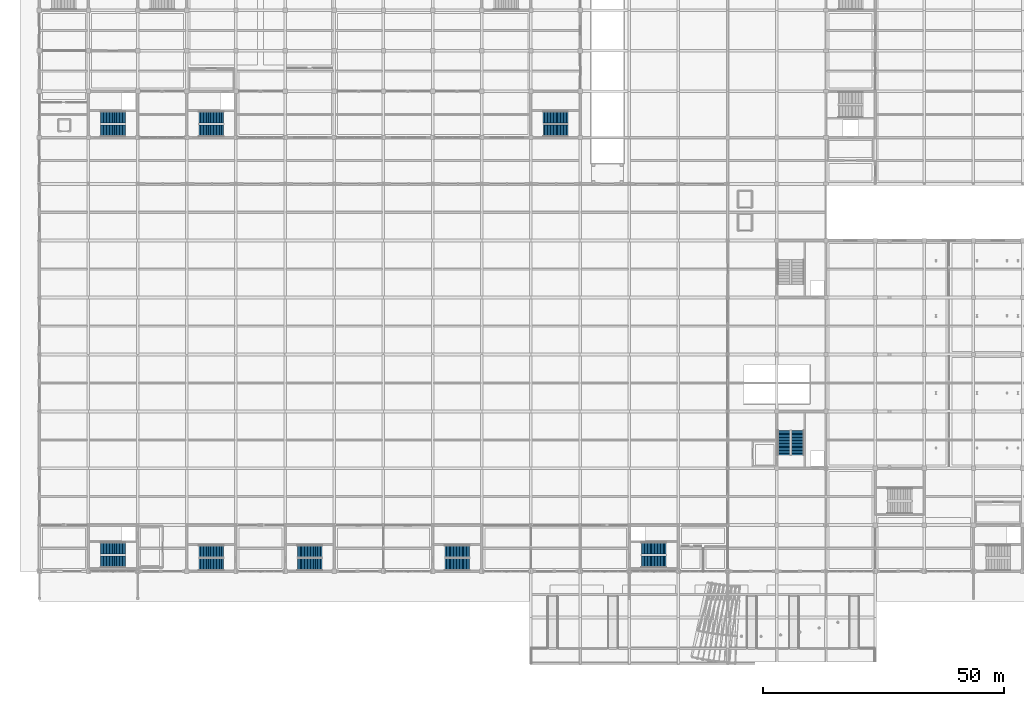
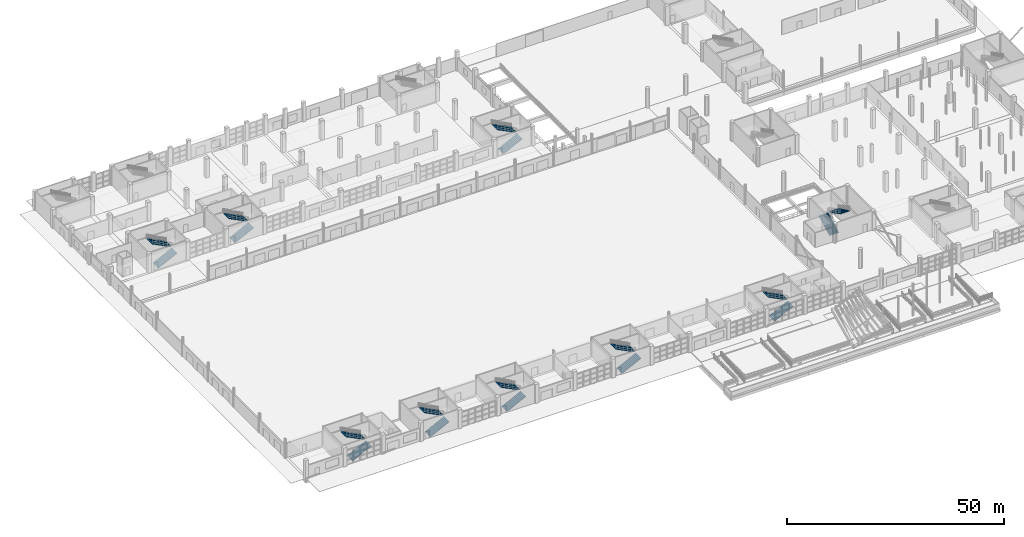
# One storey, part 100 of 124: 18 stair flights, 9 elements without a shape of their own.
"""IFC4 building model written with IfcOpenShell, lengths in metres."""

from ifc_helpers import new_model, si_unit, direction, frame, origin, place, context, subcontext, project, spatial, polyline, outline, extrude, material, type_object, element, aggregate, save


model = new_model("IFC4")

# Units and contexts
model_context = context("Model", 3, precision=1e-05, world=origin(), true_north=direction((0.0, 1.0)))
body_context = subcontext(model_context, "Body", "Model", "MODEL_VIEW")
ifc_project = project(units=[si_unit("LENGTHUNIT", "METRE"), si_unit("AREAUNIT", "SQUARE_METRE"), si_unit("VOLUMEUNIT", "CUBIC_METRE"), si_unit("PLANEANGLEUNIT", "RADIAN"), si_unit("MASSUNIT", "GRAM", prefix="KILO")], contexts=[model_context])

# Site, building, storey
site_placement = place(None, origin())
site = spatial("IfcSite", under=ifc_project, at=site_placement, CompositionType="ELEMENT")
building_placement = place(site_placement, origin())
building = spatial("IfcBuilding", under=site, at=building_placement, Name="Brelvane Convention Centre", CompositionType="ELEMENT")
storey_placement = place(building_placement, origin())
storey = spatial("IfcBuildingStorey", under=building, at=storey_placement, Name="L00", CompositionType="ELEMENT", Elevation=0.0)

# Stair, stair flights
ifc_material_1 = material(Name="Concrete M40", Category="concrete")
stair_type_1 = type_object("IfcStairType", Name="Exit Stair ST-ASM", PredefinedType="HALF_TURN_STAIR", material=ifc_material_1)
stair_1_placement = place(storey_placement, origin())
stair_1 = element("IfcStair", 1, at=stair_1_placement, inside=storey, type_object=stair_type_1, Name="Exit Stair ST-03 (L00 to L01)", PredefinedType="HALF_TURN_STAIR")
ifc_material_2 = material(Name="Concrete M40", Category="concrete")
stair_flight_type_1 = type_object("IfcStairFlightType", Name="Stair Flight SF-A18", PredefinedType="STRAIGHT", material=ifc_material_2)
stair_flight_1_placement = place(storey_placement, frame((154.47998046875, 43.35009765625, 0.0), z_axis=(0.0, 0.0, 1.0), x_axis=(0.0, 1.0, 0.0)))
stair_flight_1 = element("IfcStairFlight", 2, at=stair_flight_1_placement, type_object=stair_flight_type_1, Name="Stair ST-03 L00 Flight 1", NumberOfRisers=18, NumberOfTreads=17, PredefinedType="STRAIGHT", RiserHeight=0.15, TreadLength=0.3, context=body_context, shape_type="SweptSolid", body=[
    extrude(outline(polyline([(0.0, 0.0), (0.0, 0.14990234375), (0.300048828125, 0.14990234375), (0.300048828125, 0.300048828125), (0.60009765625, 0.300048828125), (0.60009765625, 0.449951171875), (0.89990234375, 0.449951171875), (0.89990234375, 0.60009765625), (1.199951171875, 0.60009765625), (1.199951171875, 0.75), (1.5, 0.75), (1.5, 0.89990234375), (1.800048828125, 0.89990234375), (1.800048828125, 1.050048828125), (2.10009765625, 1.050048828125), (2.10009765625, 1.199951171875), (2.39990234375, 1.199951171875), (2.39990234375, 1.35009765625), (2.699951171875, 1.35009765625), (2.699951171875, 1.5), (3.0, 1.5), (3.0, 1.64990234375), (3.300048828125, 1.64990234375), (3.300048828125, 1.800048828125), (3.60009765625, 1.800048828125), (3.60009765625, 1.949951171875), (3.89990234375, 1.949951171875), (3.89990234375, 2.10009765625), (4.199951171875, 2.10009765625), (4.199951171875, 2.25), (4.5, 2.25), (4.5, 2.39990234375), (4.800048828125, 2.39990234375), (4.800048828125, 2.550048828125), (5.10009765625, 2.550048828125), (5.10009765625, 2.699951171875), (5.10009765625, 2.348876953125), (0.40234375, 0.0), (0.0, 0.0)])), frame((0.0, 1.239990234375, 0.0), z_axis=(0.0, -1.0, 0.0), x_axis=(1.0, 0.0, 0.0)), (0.0, 0.0, 1.0), 2.47998046875),
])
stair_flight_2_placement = place(storey_placement, frame((157.320068359375, 48.449951171875, 2.699951171875), z_axis=(0.0, 0.0, 1.0), x_axis=(0.0, -1.0, 0.0)))
stair_flight_2 = element("IfcStairFlight", 3, at=stair_flight_2_placement, type_object=stair_flight_type_1, Name="Stair ST-03 L00 Flight 2", NumberOfRisers=18, NumberOfTreads=17, PredefinedType="STRAIGHT", RiserHeight=0.15, TreadLength=0.3, context=body_context, shape_type="SweptSolid", body=[
    extrude(outline(polyline([(0.0, 0.0), (0.0, 0.14990234375), (0.300048828125, 0.14990234375), (0.300048828125, 0.300048828125), (0.60009765625, 0.300048828125), (0.60009765625, 0.449951171875), (0.89990234375, 0.449951171875), (0.89990234375, 0.60009765625), (1.199951171875, 0.60009765625), (1.199951171875, 0.75), (1.5, 0.75), (1.5, 0.89990234375), (1.800048828125, 0.89990234375), (1.800048828125, 1.050048828125), (2.10009765625, 1.050048828125), (2.10009765625, 1.199951171875), (2.39990234375, 1.199951171875), (2.39990234375, 1.35009765625), (2.699951171875, 1.35009765625), (2.699951171875, 1.5), (3.0, 1.5), (3.0, 1.64990234375), (3.300048828125, 1.64990234375), (3.300048828125, 1.800048828125), (3.60009765625, 1.800048828125), (3.60009765625, 1.949951171875), (3.89990234375, 1.949951171875), (3.89990234375, 2.10009765625), (4.199951171875, 2.10009765625), (4.199951171875, 2.25), (4.5, 2.25), (4.5, 2.39990234375), (4.800048828125, 2.39990234375), (4.800048828125, 2.550048828125), (5.10009765625, 2.550048828125), (5.10009765625, 2.699951171875), (5.10009765625, 2.348876953125), (0.40234375, 0.0), (0.0, 0.0)])), frame((0.0, 1.239990234375, 0.0), z_axis=(0.0, -1.0, 0.0), x_axis=(1.0, 0.0, 0.0)), (0.0, 0.0, 1.0), 2.47998046875),
])
aggregate(stair_1, [stair_flight_1, stair_flight_2])

ifc_material_3 = material(Name="Concrete M40", Category="concrete")
stair_type_2 = type_object("IfcStairType", Name="Exit Stair ST-CORE", PredefinedType="HALF_TURN_STAIR", material=ifc_material_3)
stair_2_placement = place(storey_placement, origin())
stair_2 = element("IfcStair", 4, at=stair_2_placement, inside=storey, type_object=stair_type_2, Name="Exit Stair ST-01 (L00 to L01)", PredefinedType="HALF_TURN_STAIR")
ifc_material_4 = material(Name="Concrete M40", Category="concrete")
stair_flight_type_2 = type_object("IfcStairFlightType", Name="Stair Flight SF-C18", PredefinedType="STRAIGHT", material=ifc_material_4)
stair_flight_3_placement = place(storey_placement, frame((12.75, 21.22998046875, 0.0), z_axis=(0.0, 0.0, 1.0), x_axis=(1.0, 0.0, 0.0)))
stair_flight_3 = element("IfcStairFlight", 5, at=stair_flight_3_placement, type_object=stair_flight_type_2, Name="Stair ST-01 L00 Flight 1", NumberOfRisers=18, NumberOfTreads=17, PredefinedType="STRAIGHT", RiserHeight=0.15, TreadLength=0.3, context=body_context, shape_type="SweptSolid", body=[
    extrude(outline(polyline([(0.0, 0.0), (0.0, 0.14990234375), (0.300048828125, 0.14990234375), (0.300048828125, 0.300048828125), (0.60009765625, 0.300048828125), (0.60009765625, 0.449951171875), (0.89990234375, 0.449951171875), (0.89990234375, 0.60009765625), (1.199951171875, 0.60009765625), (1.199951171875, 0.75), (1.5, 0.75), (1.5, 0.89990234375), (1.800048828125, 0.89990234375), (1.800048828125, 1.050048828125), (2.10009765625, 1.050048828125), (2.10009765625, 1.199951171875), (2.39990234375, 1.199951171875), (2.39990234375, 1.35009765625), (2.699951171875, 1.35009765625), (2.699951171875, 1.5), (3.0, 1.5), (3.0, 1.64990234375), (3.300048828125, 1.64990234375), (3.300048828125, 1.800048828125), (3.60009765625, 1.800048828125), (3.60009765625, 1.949951171875), (3.89990234375, 1.949951171875), (3.89990234375, 2.10009765625), (4.199951171875, 2.10009765625), (4.199951171875, 2.25), (4.5, 2.25), (4.5, 2.39990234375), (4.800048828125, 2.39990234375), (4.800048828125, 2.550048828125), (5.10009765625, 2.550048828125), (5.10009765625, 2.699951171875), (5.10009765625, 2.348876953125), (0.40234375, 0.0), (0.0, 0.0)])), frame((0.0, 1.18994140625, 0.0), z_axis=(0.0, -1.0, 0.0), x_axis=(1.0, 0.0, 0.0)), (0.0, 0.0, 1.0), 2.3798828125),
])
stair_flight_4_placement = place(storey_placement, frame((17.85009765625, 23.969970703125, 2.699951171875), z_axis=(0.0, 0.0, 1.0), x_axis=(-1.0, 0.0, 0.0)))
stair_flight_4 = element("IfcStairFlight", 6, at=stair_flight_4_placement, type_object=stair_flight_type_2, Name="Stair ST-01 L00 Flight 2", NumberOfRisers=18, NumberOfTreads=17, PredefinedType="STRAIGHT", RiserHeight=0.15, TreadLength=0.3, context=body_context, shape_type="SweptSolid", body=[
    extrude(outline(polyline([(0.0, 0.0), (0.0, 0.14990234375), (0.300048828125, 0.14990234375), (0.300048828125, 0.300048828125), (0.60009765625, 0.300048828125), (0.60009765625, 0.449951171875), (0.89990234375, 0.449951171875), (0.89990234375, 0.60009765625), (1.199951171875, 0.60009765625), (1.199951171875, 0.75), (1.5, 0.75), (1.5, 0.89990234375), (1.800048828125, 0.89990234375), (1.800048828125, 1.050048828125), (2.10009765625, 1.050048828125), (2.10009765625, 1.199951171875), (2.39990234375, 1.199951171875), (2.39990234375, 1.35009765625), (2.699951171875, 1.35009765625), (2.699951171875, 1.5), (3.0, 1.5), (3.0, 1.64990234375), (3.300048828125, 1.64990234375), (3.300048828125, 1.800048828125), (3.60009765625, 1.800048828125), (3.60009765625, 1.949951171875), (3.89990234375, 1.949951171875), (3.89990234375, 2.10009765625), (4.199951171875, 2.10009765625), (4.199951171875, 2.25), (4.5, 2.25), (4.5, 2.39990234375), (4.800048828125, 2.39990234375), (4.800048828125, 2.550048828125), (5.10009765625, 2.550048828125), (5.10009765625, 2.699951171875), (5.10009765625, 2.348876953125), (0.40234375, 0.0), (0.0, 0.0)])), frame((0.0, 1.18994140625, 0.0), z_axis=(0.0, -1.0, 0.0), x_axis=(1.0, 0.0, 0.0)), (0.0, 0.0, 1.0), 2.3798828125),
])
aggregate(stair_2, [stair_flight_3, stair_flight_4])

stair_3_placement = place(storey_placement, origin())
stair_3 = element("IfcStair", 7, at=stair_3_placement, inside=storey, type_object=stair_type_2, Name="Exit Stair ST-02 (L00 to L01)", PredefinedType="HALF_TURN_STAIR")
stair_flight_5_placement = place(storey_placement, frame((124.949951171875, 21.22998046875, 0.0), z_axis=(0.0, 0.0, 1.0), x_axis=(1.0, 0.0, 0.0)))
stair_flight_5 = element("IfcStairFlight", 8, at=stair_flight_5_placement, type_object=stair_flight_type_2, Name="Stair ST-02 L00 Flight 1", NumberOfRisers=18, NumberOfTreads=17, PredefinedType="STRAIGHT", RiserHeight=0.15, TreadLength=0.3, context=body_context, shape_type="SweptSolid", body=[
    extrude(outline(polyline([(0.0, 0.0), (0.0, 0.14990234375), (0.300048828125, 0.14990234375), (0.300048828125, 0.300048828125), (0.60009765625, 0.300048828125), (0.60009765625, 0.449951171875), (0.89990234375, 0.449951171875), (0.89990234375, 0.60009765625), (1.199951171875, 0.60009765625), (1.199951171875, 0.75), (1.5, 0.75), (1.5, 0.89990234375), (1.800048828125, 0.89990234375), (1.800048828125, 1.050048828125), (2.10009765625, 1.050048828125), (2.10009765625, 1.199951171875), (2.39990234375, 1.199951171875), (2.39990234375, 1.35009765625), (2.699951171875, 1.35009765625), (2.699951171875, 1.5), (3.0, 1.5), (3.0, 1.64990234375), (3.300048828125, 1.64990234375), (3.300048828125, 1.800048828125), (3.60009765625, 1.800048828125), (3.60009765625, 1.949951171875), (3.89990234375, 1.949951171875), (3.89990234375, 2.10009765625), (4.199951171875, 2.10009765625), (4.199951171875, 2.25), (4.5, 2.25), (4.5, 2.39990234375), (4.800048828125, 2.39990234375), (4.800048828125, 2.550048828125), (5.10009765625, 2.550048828125), (5.10009765625, 2.699951171875), (5.10009765625, 2.348876953125), (0.40234375, 0.0), (0.0, 0.0)])), frame((0.0, 1.18994140625, 0.0), z_axis=(0.0, -1.0, 0.0), x_axis=(1.0, 0.0, 0.0)), (0.0, 0.0, 1.0), 2.3798828125),
])
stair_flight_6_placement = place(storey_placement, frame((130.050048828125, 23.969970703125, 2.699951171875), z_axis=(0.0, 0.0, 1.0), x_axis=(-1.0, 0.0, 0.0)))
stair_flight_6 = element("IfcStairFlight", 9, at=stair_flight_6_placement, type_object=stair_flight_type_2, Name="Stair ST-02 L00 Flight 2", NumberOfRisers=18, NumberOfTreads=17, PredefinedType="STRAIGHT", RiserHeight=0.15, TreadLength=0.3, context=body_context, shape_type="SweptSolid", body=[
    extrude(outline(polyline([(0.0, 0.0), (0.0, 0.14990234375), (0.300048828125, 0.14990234375), (0.300048828125, 0.300048828125), (0.60009765625, 0.300048828125), (0.60009765625, 0.449951171875), (0.89990234375, 0.449951171875), (0.89990234375, 0.60009765625), (1.199951171875, 0.60009765625), (1.199951171875, 0.75), (1.5, 0.75), (1.5, 0.89990234375), (1.800048828125, 0.89990234375), (1.800048828125, 1.050048828125), (2.10009765625, 1.050048828125), (2.10009765625, 1.199951171875), (2.39990234375, 1.199951171875), (2.39990234375, 1.35009765625), (2.699951171875, 1.35009765625), (2.699951171875, 1.5), (3.0, 1.5), (3.0, 1.64990234375), (3.300048828125, 1.64990234375), (3.300048828125, 1.800048828125), (3.60009765625, 1.800048828125), (3.60009765625, 1.949951171875), (3.89990234375, 1.949951171875), (3.89990234375, 2.10009765625), (4.199951171875, 2.10009765625), (4.199951171875, 2.25), (4.5, 2.25), (4.5, 2.39990234375), (4.800048828125, 2.39990234375), (4.800048828125, 2.550048828125), (5.10009765625, 2.550048828125), (5.10009765625, 2.699951171875), (5.10009765625, 2.348876953125), (0.40234375, 0.0), (0.0, 0.0)])), frame((0.0, 1.18994140625, 0.0), z_axis=(0.0, -1.0, 0.0), x_axis=(1.0, 0.0, 0.0)), (0.0, 0.0, 1.0), 2.3798828125),
])
aggregate(stair_3, [stair_flight_5, stair_flight_6])

stair_4_placement = place(storey_placement, origin())
stair_4 = element("IfcStair", 10, at=stair_4_placement, inside=storey, type_object=stair_type_2, Name="Exit Stair ST-06 (L00 to L01)", PredefinedType="HALF_TURN_STAIR")
stair_flight_7_placement = place(storey_placement, frame((12.75, 110.6298828125, 0.0), z_axis=(0.0, 0.0, 1.0), x_axis=(1.0, 0.0, 0.0)))
stair_flight_7 = element("IfcStairFlight", 11, at=stair_flight_7_placement, type_object=stair_flight_type_2, Name="Stair ST-06 L00 Flight 1", NumberOfRisers=18, NumberOfTreads=17, PredefinedType="STRAIGHT", RiserHeight=0.15, TreadLength=0.3, context=body_context, shape_type="SweptSolid", body=[
    extrude(outline(polyline([(0.0, 0.0), (0.0, 0.14990234375), (0.300048828125, 0.14990234375), (0.300048828125, 0.300048828125), (0.60009765625, 0.300048828125), (0.60009765625, 0.449951171875), (0.89990234375, 0.449951171875), (0.89990234375, 0.60009765625), (1.199951171875, 0.60009765625), (1.199951171875, 0.75), (1.5, 0.75), (1.5, 0.89990234375), (1.800048828125, 0.89990234375), (1.800048828125, 1.050048828125), (2.10009765625, 1.050048828125), (2.10009765625, 1.199951171875), (2.39990234375, 1.199951171875), (2.39990234375, 1.35009765625), (2.699951171875, 1.35009765625), (2.699951171875, 1.5), (3.0, 1.5), (3.0, 1.64990234375), (3.300048828125, 1.64990234375), (3.300048828125, 1.800048828125), (3.60009765625, 1.800048828125), (3.60009765625, 1.949951171875), (3.89990234375, 1.949951171875), (3.89990234375, 2.10009765625), (4.199951171875, 2.10009765625), (4.199951171875, 2.25), (4.5, 2.25), (4.5, 2.39990234375), (4.800048828125, 2.39990234375), (4.800048828125, 2.550048828125), (5.10009765625, 2.550048828125), (5.10009765625, 2.699951171875), (5.10009765625, 2.348876953125), (0.40234375, 0.0), (0.0, 0.0)])), frame((0.0, 1.18994140625, 0.0), z_axis=(0.0, -1.0, 0.0), x_axis=(1.0, 0.0, 0.0)), (0.0, 0.0, 1.0), 2.3798828125),
])
stair_flight_8_placement = place(storey_placement, frame((17.85009765625, 113.3701171875, 2.699951171875), z_axis=(0.0, 0.0, 1.0), x_axis=(-1.0, 0.0, 0.0)))
stair_flight_8 = element("IfcStairFlight", 12, at=stair_flight_8_placement, type_object=stair_flight_type_2, Name="Stair ST-06 L00 Flight 2", NumberOfRisers=18, NumberOfTreads=17, PredefinedType="STRAIGHT", RiserHeight=0.15, TreadLength=0.3, context=body_context, shape_type="SweptSolid", body=[
    extrude(outline(polyline([(0.0, 0.0), (0.0, 0.14990234375), (0.300048828125, 0.14990234375), (0.300048828125, 0.300048828125), (0.60009765625, 0.300048828125), (0.60009765625, 0.449951171875), (0.89990234375, 0.449951171875), (0.89990234375, 0.60009765625), (1.199951171875, 0.60009765625), (1.199951171875, 0.75), (1.5, 0.75), (1.5, 0.89990234375), (1.800048828125, 0.89990234375), (1.800048828125, 1.050048828125), (2.10009765625, 1.050048828125), (2.10009765625, 1.199951171875), (2.39990234375, 1.199951171875), (2.39990234375, 1.35009765625), (2.699951171875, 1.35009765625), (2.699951171875, 1.5), (3.0, 1.5), (3.0, 1.64990234375), (3.300048828125, 1.64990234375), (3.300048828125, 1.800048828125), (3.60009765625, 1.800048828125), (3.60009765625, 1.949951171875), (3.89990234375, 1.949951171875), (3.89990234375, 2.10009765625), (4.199951171875, 2.10009765625), (4.199951171875, 2.25), (4.5, 2.25), (4.5, 2.39990234375), (4.800048828125, 2.39990234375), (4.800048828125, 2.550048828125), (5.10009765625, 2.550048828125), (5.10009765625, 2.699951171875), (5.10009765625, 2.348876953125), (0.40234375, 0.0), (0.0, 0.0)])), frame((0.0, 1.18994140625, 0.0), z_axis=(0.0, -1.0, 0.0), x_axis=(1.0, 0.0, 0.0)), (0.0, 0.0, 1.0), 2.3798828125),
])
aggregate(stair_4, [stair_flight_7, stair_flight_8])

stair_5_placement = place(storey_placement, origin())
stair_5 = element("IfcStair", 13, at=stair_5_placement, inside=storey, type_object=stair_type_2, Name="Exit Stair ST-07 (L00 to L01)", PredefinedType="HALF_TURN_STAIR")
stair_flight_9_placement = place(storey_placement, frame((33.14990234375, 110.6298828125, 0.0), z_axis=(0.0, 0.0, 1.0), x_axis=(1.0, 0.0, 0.0)))
stair_flight_9 = element("IfcStairFlight", 14, at=stair_flight_9_placement, type_object=stair_flight_type_2, Name="Stair ST-07 L00 Flight 1", NumberOfRisers=18, NumberOfTreads=17, PredefinedType="STRAIGHT", RiserHeight=0.15, TreadLength=0.3, context=body_context, shape_type="SweptSolid", body=[
    extrude(outline(polyline([(0.0, 0.0), (0.0, 0.14990234375), (0.300048828125, 0.14990234375), (0.300048828125, 0.300048828125), (0.60009765625, 0.300048828125), (0.60009765625, 0.449951171875), (0.89990234375, 0.449951171875), (0.89990234375, 0.60009765625), (1.199951171875, 0.60009765625), (1.199951171875, 0.75), (1.5, 0.75), (1.5, 0.89990234375), (1.800048828125, 0.89990234375), (1.800048828125, 1.050048828125), (2.10009765625, 1.050048828125), (2.10009765625, 1.199951171875), (2.39990234375, 1.199951171875), (2.39990234375, 1.35009765625), (2.699951171875, 1.35009765625), (2.699951171875, 1.5), (3.0, 1.5), (3.0, 1.64990234375), (3.300048828125, 1.64990234375), (3.300048828125, 1.800048828125), (3.60009765625, 1.800048828125), (3.60009765625, 1.949951171875), (3.89990234375, 1.949951171875), (3.89990234375, 2.10009765625), (4.199951171875, 2.10009765625), (4.199951171875, 2.25), (4.5, 2.25), (4.5, 2.39990234375), (4.800048828125, 2.39990234375), (4.800048828125, 2.550048828125), (5.10009765625, 2.550048828125), (5.10009765625, 2.699951171875), (5.10009765625, 2.348876953125), (0.40234375, 0.0), (0.0, 0.0)])), frame((0.0, 1.18994140625, 0.0), z_axis=(0.0, -1.0, 0.0), x_axis=(1.0, 0.0, 0.0)), (0.0, 0.0, 1.0), 2.3798828125),
])
stair_flight_10_placement = place(storey_placement, frame((38.25, 113.3701171875, 2.699951171875), z_axis=(0.0, 0.0, 1.0), x_axis=(-1.0, 0.0, 0.0)))
stair_flight_10 = element("IfcStairFlight", 15, at=stair_flight_10_placement, type_object=stair_flight_type_2, Name="Stair ST-07 L00 Flight 2", NumberOfRisers=18, NumberOfTreads=17, PredefinedType="STRAIGHT", RiserHeight=0.15, TreadLength=0.3, context=body_context, shape_type="SweptSolid", body=[
    extrude(outline(polyline([(0.0, 0.0), (0.0, 0.14990234375), (0.300048828125, 0.14990234375), (0.300048828125, 0.300048828125), (0.60009765625, 0.300048828125), (0.60009765625, 0.449951171875), (0.89990234375, 0.449951171875), (0.89990234375, 0.60009765625), (1.199951171875, 0.60009765625), (1.199951171875, 0.75), (1.5, 0.75), (1.5, 0.89990234375), (1.800048828125, 0.89990234375), (1.800048828125, 1.050048828125), (2.10009765625, 1.050048828125), (2.10009765625, 1.199951171875), (2.39990234375, 1.199951171875), (2.39990234375, 1.35009765625), (2.699951171875, 1.35009765625), (2.699951171875, 1.5), (3.0, 1.5), (3.0, 1.64990234375), (3.300048828125, 1.64990234375), (3.300048828125, 1.800048828125), (3.60009765625, 1.800048828125), (3.60009765625, 1.949951171875), (3.89990234375, 1.949951171875), (3.89990234375, 2.10009765625), (4.199951171875, 2.10009765625), (4.199951171875, 2.25), (4.5, 2.25), (4.5, 2.39990234375), (4.800048828125, 2.39990234375), (4.800048828125, 2.550048828125), (5.10009765625, 2.550048828125), (5.10009765625, 2.699951171875), (5.10009765625, 2.348876953125), (0.40234375, 0.0), (0.0, 0.0)])), frame((0.0, 1.18994140625, 0.0), z_axis=(0.0, -1.0, 0.0), x_axis=(1.0, 0.0, 0.0)), (0.0, 0.0, 1.0), 2.3798828125),
])
aggregate(stair_5, [stair_flight_9, stair_flight_10])

stair_6_placement = place(storey_placement, origin())
stair_6 = element("IfcStair", 16, at=stair_6_placement, inside=storey, type_object=stair_type_2, Name="Exit Stair ST-09 (L00 to L01)", PredefinedType="HALF_TURN_STAIR")
stair_flight_11_placement = place(storey_placement, frame((53.550048828125, 20.6298828125, 0.0), z_axis=(0.0, 0.0, 1.0), x_axis=(1.0, 0.0, 0.0)))
stair_flight_11 = element("IfcStairFlight", 17, at=stair_flight_11_placement, type_object=stair_flight_type_2, Name="Stair ST-09 L00 Flight 1", NumberOfRisers=18, NumberOfTreads=17, PredefinedType="STRAIGHT", RiserHeight=0.15, TreadLength=0.3, context=body_context, shape_type="SweptSolid", body=[
    extrude(outline(polyline([(0.0, 0.0), (0.0, 0.14990234375), (0.300048828125, 0.14990234375), (0.300048828125, 0.300048828125), (0.60009765625, 0.300048828125), (0.60009765625, 0.449951171875), (0.89990234375, 0.449951171875), (0.89990234375, 0.60009765625), (1.199951171875, 0.60009765625), (1.199951171875, 0.75), (1.5, 0.75), (1.5, 0.89990234375), (1.800048828125, 0.89990234375), (1.800048828125, 1.050048828125), (2.10009765625, 1.050048828125), (2.10009765625, 1.199951171875), (2.39990234375, 1.199951171875), (2.39990234375, 1.35009765625), (2.699951171875, 1.35009765625), (2.699951171875, 1.5), (3.0, 1.5), (3.0, 1.64990234375), (3.300048828125, 1.64990234375), (3.300048828125, 1.800048828125), (3.60009765625, 1.800048828125), (3.60009765625, 1.949951171875), (3.89990234375, 1.949951171875), (3.89990234375, 2.10009765625), (4.199951171875, 2.10009765625), (4.199951171875, 2.25), (4.5, 2.25), (4.5, 2.39990234375), (4.800048828125, 2.39990234375), (4.800048828125, 2.550048828125), (5.10009765625, 2.550048828125), (5.10009765625, 2.699951171875), (5.10009765625, 2.348876953125), (0.40234375, 0.0), (0.0, 0.0)])), frame((0.0, 1.18994140625, 0.0), z_axis=(0.0, -1.0, 0.0), x_axis=(1.0, 0.0, 0.0)), (0.0, 0.0, 1.0), 2.3798828125),
])
stair_flight_12_placement = place(storey_placement, frame((58.64990234375, 23.3701171875, 2.699951171875), z_axis=(0.0, 0.0, 1.0), x_axis=(-1.0, 0.0, 0.0)))
stair_flight_12 = element("IfcStairFlight", 18, at=stair_flight_12_placement, type_object=stair_flight_type_2, Name="Stair ST-09 L00 Flight 2", NumberOfRisers=18, NumberOfTreads=17, PredefinedType="STRAIGHT", RiserHeight=0.15, TreadLength=0.3, context=body_context, shape_type="SweptSolid", body=[
    extrude(outline(polyline([(0.0, 0.0), (0.0, 0.14990234375), (0.300048828125, 0.14990234375), (0.300048828125, 0.300048828125), (0.60009765625, 0.300048828125), (0.60009765625, 0.449951171875), (0.89990234375, 0.449951171875), (0.89990234375, 0.60009765625), (1.199951171875, 0.60009765625), (1.199951171875, 0.75), (1.5, 0.75), (1.5, 0.89990234375), (1.800048828125, 0.89990234375), (1.800048828125, 1.050048828125), (2.10009765625, 1.050048828125), (2.10009765625, 1.199951171875), (2.39990234375, 1.199951171875), (2.39990234375, 1.35009765625), (2.699951171875, 1.35009765625), (2.699951171875, 1.5), (3.0, 1.5), (3.0, 1.64990234375), (3.300048828125, 1.64990234375), (3.300048828125, 1.800048828125), (3.60009765625, 1.800048828125), (3.60009765625, 1.949951171875), (3.89990234375, 1.949951171875), (3.89990234375, 2.10009765625), (4.199951171875, 2.10009765625), (4.199951171875, 2.25), (4.5, 2.25), (4.5, 2.39990234375), (4.800048828125, 2.39990234375), (4.800048828125, 2.550048828125), (5.10009765625, 2.550048828125), (5.10009765625, 2.699951171875), (5.10009765625, 2.348876953125), (0.40234375, 0.0), (0.0, 0.0)])), frame((0.0, 1.18994140625, 0.0), z_axis=(0.0, -1.0, 0.0), x_axis=(1.0, 0.0, 0.0)), (0.0, 0.0, 1.0), 2.3798828125),
])
aggregate(stair_6, [stair_flight_11, stair_flight_12])

stair_7_placement = place(storey_placement, origin())
stair_7 = element("IfcStair", 19, at=stair_7_placement, inside=storey, type_object=stair_type_2, Name="Exit Stair ST-10 (L00 to L01)", PredefinedType="HALF_TURN_STAIR")
stair_flight_13_placement = place(storey_placement, frame((84.14990234375, 20.6298828125, 0.0), z_axis=(0.0, 0.0, 1.0), x_axis=(1.0, 0.0, 0.0)))
stair_flight_13 = element("IfcStairFlight", 20, at=stair_flight_13_placement, type_object=stair_flight_type_2, Name="Stair ST-10 L00 Flight 1", NumberOfRisers=18, NumberOfTreads=17, PredefinedType="STRAIGHT", RiserHeight=0.15, TreadLength=0.3, context=body_context, shape_type="SweptSolid", body=[
    extrude(outline(polyline([(0.0, 0.0), (0.0, 0.14990234375), (0.300048828125, 0.14990234375), (0.300048828125, 0.300048828125), (0.60009765625, 0.300048828125), (0.60009765625, 0.449951171875), (0.89990234375, 0.449951171875), (0.89990234375, 0.60009765625), (1.199951171875, 0.60009765625), (1.199951171875, 0.75), (1.5, 0.75), (1.5, 0.89990234375), (1.800048828125, 0.89990234375), (1.800048828125, 1.050048828125), (2.10009765625, 1.050048828125), (2.10009765625, 1.199951171875), (2.39990234375, 1.199951171875), (2.39990234375, 1.35009765625), (2.699951171875, 1.35009765625), (2.699951171875, 1.5), (3.0, 1.5), (3.0, 1.64990234375), (3.300048828125, 1.64990234375), (3.300048828125, 1.800048828125), (3.60009765625, 1.800048828125), (3.60009765625, 1.949951171875), (3.89990234375, 1.949951171875), (3.89990234375, 2.10009765625), (4.199951171875, 2.10009765625), (4.199951171875, 2.25), (4.5, 2.25), (4.5, 2.39990234375), (4.800048828125, 2.39990234375), (4.800048828125, 2.550048828125), (5.10009765625, 2.550048828125), (5.10009765625, 2.699951171875), (5.10009765625, 2.348876953125), (0.40234375, 0.0), (0.0, 0.0)])), frame((0.0, 1.18994140625, 0.0), z_axis=(0.0, -1.0, 0.0), x_axis=(1.0, 0.0, 0.0)), (0.0, 0.0, 1.0), 2.3798828125),
])
stair_flight_14_placement = place(storey_placement, frame((89.25, 23.3701171875, 2.699951171875), z_axis=(0.0, 0.0, 1.0), x_axis=(-1.0, 0.0, 0.0)))
stair_flight_14 = element("IfcStairFlight", 21, at=stair_flight_14_placement, type_object=stair_flight_type_2, Name="Stair ST-10 L00 Flight 2", NumberOfRisers=18, NumberOfTreads=17, PredefinedType="STRAIGHT", RiserHeight=0.15, TreadLength=0.3, context=body_context, shape_type="SweptSolid", body=[
    extrude(outline(polyline([(0.0, 0.0), (0.0, 0.14990234375), (0.300048828125, 0.14990234375), (0.300048828125, 0.300048828125), (0.60009765625, 0.300048828125), (0.60009765625, 0.449951171875), (0.89990234375, 0.449951171875), (0.89990234375, 0.60009765625), (1.199951171875, 0.60009765625), (1.199951171875, 0.75), (1.5, 0.75), (1.5, 0.89990234375), (1.800048828125, 0.89990234375), (1.800048828125, 1.050048828125), (2.10009765625, 1.050048828125), (2.10009765625, 1.199951171875), (2.39990234375, 1.199951171875), (2.39990234375, 1.35009765625), (2.699951171875, 1.35009765625), (2.699951171875, 1.5), (3.0, 1.5), (3.0, 1.64990234375), (3.300048828125, 1.64990234375), (3.300048828125, 1.800048828125), (3.60009765625, 1.800048828125), (3.60009765625, 1.949951171875), (3.89990234375, 1.949951171875), (3.89990234375, 2.10009765625), (4.199951171875, 2.10009765625), (4.199951171875, 2.25), (4.5, 2.25), (4.5, 2.39990234375), (4.800048828125, 2.39990234375), (4.800048828125, 2.550048828125), (5.10009765625, 2.550048828125), (5.10009765625, 2.699951171875), (5.10009765625, 2.348876953125), (0.40234375, 0.0), (0.0, 0.0)])), frame((0.0, 1.18994140625, 0.0), z_axis=(0.0, -1.0, 0.0), x_axis=(1.0, 0.0, 0.0)), (0.0, 0.0, 1.0), 2.3798828125),
])
aggregate(stair_7, [stair_flight_13, stair_flight_14])

stair_8_placement = place(storey_placement, origin())
stair_8 = element("IfcStair", 22, at=stair_8_placement, inside=storey, type_object=stair_type_2, Name="Exit Stair ST-19 (L00 to L01)", PredefinedType="HALF_TURN_STAIR")
stair_flight_15_placement = place(storey_placement, frame((33.14990234375, 20.6298828125, 0.0), z_axis=(0.0, 0.0, 1.0), x_axis=(1.0, 0.0, 0.0)))
stair_flight_15 = element("IfcStairFlight", 23, at=stair_flight_15_placement, type_object=stair_flight_type_2, Name="Stair ST-19 L00 Flight 1", NumberOfRisers=18, NumberOfTreads=17, PredefinedType="STRAIGHT", RiserHeight=0.15, TreadLength=0.3, context=body_context, shape_type="SweptSolid", body=[
    extrude(outline(polyline([(0.0, 0.0), (0.0, 0.14990234375), (0.300048828125, 0.14990234375), (0.300048828125, 0.300048828125), (0.60009765625, 0.300048828125), (0.60009765625, 0.449951171875), (0.89990234375, 0.449951171875), (0.89990234375, 0.60009765625), (1.199951171875, 0.60009765625), (1.199951171875, 0.75), (1.5, 0.75), (1.5, 0.89990234375), (1.800048828125, 0.89990234375), (1.800048828125, 1.050048828125), (2.10009765625, 1.050048828125), (2.10009765625, 1.199951171875), (2.39990234375, 1.199951171875), (2.39990234375, 1.35009765625), (2.699951171875, 1.35009765625), (2.699951171875, 1.5), (3.0, 1.5), (3.0, 1.64990234375), (3.300048828125, 1.64990234375), (3.300048828125, 1.800048828125), (3.60009765625, 1.800048828125), (3.60009765625, 1.949951171875), (3.89990234375, 1.949951171875), (3.89990234375, 2.10009765625), (4.199951171875, 2.10009765625), (4.199951171875, 2.25), (4.5, 2.25), (4.5, 2.39990234375), (4.800048828125, 2.39990234375), (4.800048828125, 2.550048828125), (5.10009765625, 2.550048828125), (5.10009765625, 2.699951171875), (5.10009765625, 2.348876953125), (0.40234375, 0.0), (0.0, 0.0)])), frame((0.0, 1.18994140625, 0.0), z_axis=(0.0, -1.0, 0.0), x_axis=(1.0, 0.0, 0.0)), (0.0, 0.0, 1.0), 2.3798828125),
])
stair_flight_16_placement = place(storey_placement, frame((38.25, 23.3701171875, 2.699951171875), z_axis=(0.0, 0.0, 1.0), x_axis=(-1.0, 0.0, 0.0)))
stair_flight_16 = element("IfcStairFlight", 24, at=stair_flight_16_placement, type_object=stair_flight_type_2, Name="Stair ST-19 L00 Flight 2", NumberOfRisers=18, NumberOfTreads=17, PredefinedType="STRAIGHT", RiserHeight=0.15, TreadLength=0.3, context=body_context, shape_type="SweptSolid", body=[
    extrude(outline(polyline([(0.0, 0.0), (0.0, 0.14990234375), (0.300048828125, 0.14990234375), (0.300048828125, 0.300048828125), (0.60009765625, 0.300048828125), (0.60009765625, 0.449951171875), (0.89990234375, 0.449951171875), (0.89990234375, 0.60009765625), (1.199951171875, 0.60009765625), (1.199951171875, 0.75), (1.5, 0.75), (1.5, 0.89990234375), (1.800048828125, 0.89990234375), (1.800048828125, 1.050048828125), (2.10009765625, 1.050048828125), (2.10009765625, 1.199951171875), (2.39990234375, 1.199951171875), (2.39990234375, 1.35009765625), (2.699951171875, 1.35009765625), (2.699951171875, 1.5), (3.0, 1.5), (3.0, 1.64990234375), (3.300048828125, 1.64990234375), (3.300048828125, 1.800048828125), (3.60009765625, 1.800048828125), (3.60009765625, 1.949951171875), (3.89990234375, 1.949951171875), (3.89990234375, 2.10009765625), (4.199951171875, 2.10009765625), (4.199951171875, 2.25), (4.5, 2.25), (4.5, 2.39990234375), (4.800048828125, 2.39990234375), (4.800048828125, 2.550048828125), (5.10009765625, 2.550048828125), (5.10009765625, 2.699951171875), (5.10009765625, 2.348876953125), (0.40234375, 0.0), (0.0, 0.0)])), frame((0.0, 1.18994140625, 0.0), z_axis=(0.0, -1.0, 0.0), x_axis=(1.0, 0.0, 0.0)), (0.0, 0.0, 1.0), 2.3798828125),
])
aggregate(stair_8, [stair_flight_15, stair_flight_16])

stair_9_placement = place(storey_placement, origin())
stair_9 = element("IfcStair", 25, at=stair_9_placement, inside=storey, type_object=stair_type_2, Name="Exit Stair ST-20 (L00 to L01)", PredefinedType="HALF_TURN_STAIR")
stair_flight_17_placement = place(storey_placement, frame((104.550048828125, 110.6298828125, 0.0), z_axis=(0.0, 0.0, 1.0), x_axis=(1.0, 0.0, 0.0)))
stair_flight_17 = element("IfcStairFlight", 26, at=stair_flight_17_placement, type_object=stair_flight_type_2, Name="Stair ST-20 L00 Flight 1", NumberOfRisers=18, NumberOfTreads=17, PredefinedType="STRAIGHT", RiserHeight=0.15, TreadLength=0.3, context=body_context, shape_type="SweptSolid", body=[
    extrude(outline(polyline([(0.0, 0.0), (0.0, 0.14990234375), (0.300048828125, 0.14990234375), (0.300048828125, 0.300048828125), (0.60009765625, 0.300048828125), (0.60009765625, 0.449951171875), (0.89990234375, 0.449951171875), (0.89990234375, 0.60009765625), (1.199951171875, 0.60009765625), (1.199951171875, 0.75), (1.5, 0.75), (1.5, 0.89990234375), (1.800048828125, 0.89990234375), (1.800048828125, 1.050048828125), (2.10009765625, 1.050048828125), (2.10009765625, 1.199951171875), (2.39990234375, 1.199951171875), (2.39990234375, 1.35009765625), (2.699951171875, 1.35009765625), (2.699951171875, 1.5), (3.0, 1.5), (3.0, 1.64990234375), (3.300048828125, 1.64990234375), (3.300048828125, 1.800048828125), (3.60009765625, 1.800048828125), (3.60009765625, 1.949951171875), (3.89990234375, 1.949951171875), (3.89990234375, 2.10009765625), (4.199951171875, 2.10009765625), (4.199951171875, 2.25), (4.5, 2.25), (4.5, 2.39990234375), (4.800048828125, 2.39990234375), (4.800048828125, 2.550048828125), (5.10009765625, 2.550048828125), (5.10009765625, 2.699951171875), (5.10009765625, 2.348876953125), (0.40234375, 0.0), (0.0, 0.0)])), frame((0.0, 1.18994140625, 0.0), z_axis=(0.0, -1.0, 0.0), x_axis=(1.0, 0.0, 0.0)), (0.0, 0.0, 1.0), 2.3798828125),
])
stair_flight_18_placement = place(storey_placement, frame((109.64990234375, 113.3701171875, 2.699951171875), z_axis=(0.0, 0.0, 1.0), x_axis=(-1.0, 0.0, 0.0)))
stair_flight_18 = element("IfcStairFlight", 27, at=stair_flight_18_placement, type_object=stair_flight_type_2, Name="Stair ST-20 L00 Flight 2", NumberOfRisers=18, NumberOfTreads=17, PredefinedType="STRAIGHT", RiserHeight=0.15, TreadLength=0.3, context=body_context, shape_type="SweptSolid", body=[
    extrude(outline(polyline([(0.0, 0.0), (0.0, 0.14990234375), (0.300048828125, 0.14990234375), (0.300048828125, 0.300048828125), (0.60009765625, 0.300048828125), (0.60009765625, 0.449951171875), (0.89990234375, 0.449951171875), (0.89990234375, 0.60009765625), (1.199951171875, 0.60009765625), (1.199951171875, 0.75), (1.5, 0.75), (1.5, 0.89990234375), (1.800048828125, 0.89990234375), (1.800048828125, 1.050048828125), (2.10009765625, 1.050048828125), (2.10009765625, 1.199951171875), (2.39990234375, 1.199951171875), (2.39990234375, 1.35009765625), (2.699951171875, 1.35009765625), (2.699951171875, 1.5), (3.0, 1.5), (3.0, 1.64990234375), (3.300048828125, 1.64990234375), (3.300048828125, 1.800048828125), (3.60009765625, 1.800048828125), (3.60009765625, 1.949951171875), (3.89990234375, 1.949951171875), (3.89990234375, 2.10009765625), (4.199951171875, 2.10009765625), (4.199951171875, 2.25), (4.5, 2.25), (4.5, 2.39990234375), (4.800048828125, 2.39990234375), (4.800048828125, 2.550048828125), (5.10009765625, 2.550048828125), (5.10009765625, 2.699951171875), (5.10009765625, 2.348876953125), (0.40234375, 0.0), (0.0, 0.0)])), frame((0.0, 1.18994140625, 0.0), z_axis=(0.0, -1.0, 0.0), x_axis=(1.0, 0.0, 0.0)), (0.0, 0.0, 1.0), 2.3798828125),
])
aggregate(stair_9, [stair_flight_17, stair_flight_18])

save(model, "model.ifc")
